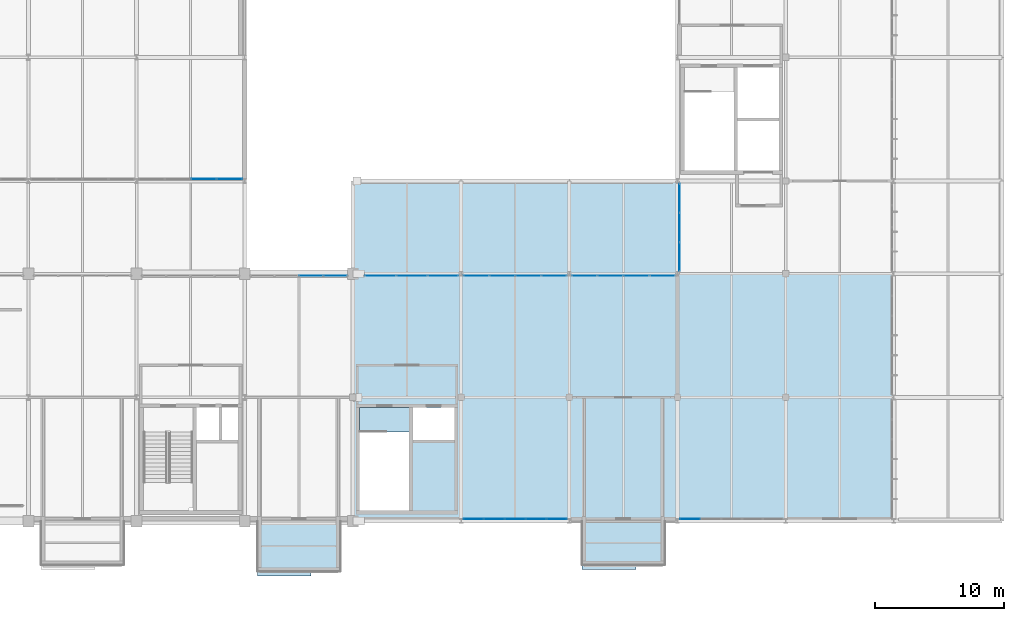
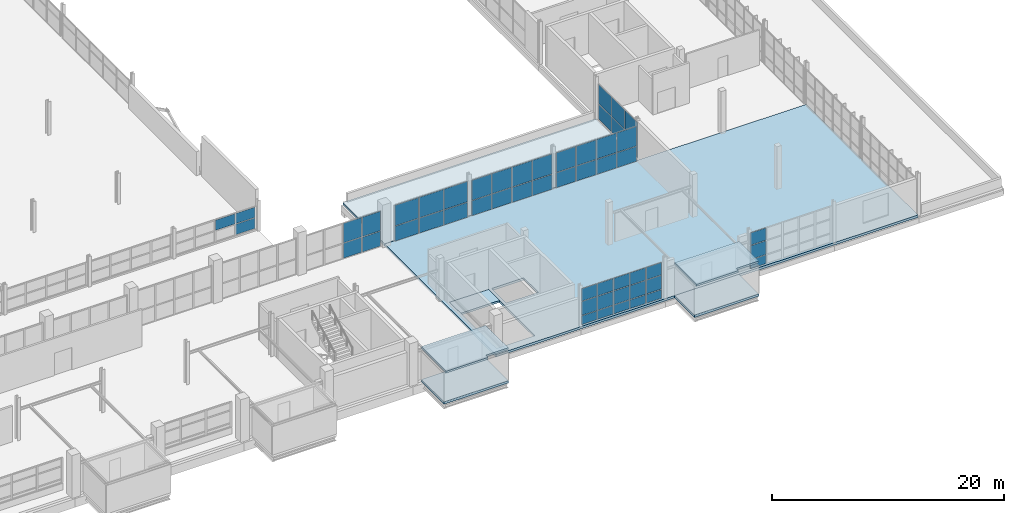
# One storey, part 87 of 103: 53 plates, 7 slabs, 8 elements without a shape of their own.
"""IFC4 building model written with IfcOpenShell, lengths in metres."""

from ifc_helpers import new_model, si_unit, direction, frame, origin, origin_2d, place, context, subcontext, project, spatial, polyline, rectangle, outline, extrude, material, layer, layer_set, type_object, element, aggregate, save


model = new_model("IFC4")

# Units and contexts
model_context = context("Model", 3, precision=1e-05, world=origin(), true_north=direction((0.0, 1.0)))
body_context = subcontext(model_context, "Body", "Model", "MODEL_VIEW")
ifc_project = project(units=[si_unit("LENGTHUNIT", "METRE"), si_unit("AREAUNIT", "SQUARE_METRE"), si_unit("VOLUMEUNIT", "CUBIC_METRE"), si_unit("PLANEANGLEUNIT", "RADIAN"), si_unit("MASSUNIT", "GRAM", prefix="KILO")], contexts=[model_context])

# Site, building, storey
site_placement = place(None, origin())
site = spatial("IfcSite", under=ifc_project, at=site_placement, CompositionType="ELEMENT")
building_placement = place(site_placement, origin())
building = spatial("IfcBuilding", under=site, at=building_placement, Name="Veltarok Museum of Natural Sciences", CompositionType="ELEMENT")
storey_placement = place(building_placement, frame((0.0, 0.0, 21.89990234375)))
storey = spatial("IfcBuildingStorey", under=building, at=storey_placement, Name="L04", CompositionType="ELEMENT", Elevation=21.89990234375)

# Slabs
ifc_material_1 = material(Name="Concrete C35/45", Category="concrete")
ifc_layer_1 = layer(ifc_material_1, 0.199951171875)
ifc_layer_set_1 = layer_set([ifc_layer_1], Name="Concrete C35/45")
slab_type_1 = type_object("IfcSlabType", Name="Cantilevered Cabinet Box Roof Slab 200", PredefinedType="ROOF", material=ifc_layer_set_1)
slab_1_placement = place(storey_placement, frame((0.0, 0.0, 3.25)))
element("IfcSlab", 1, at=slab_1_placement, inside=storey, type_object=slab_type_1, Name="Cabinet Box Roof Slab DB-23", PredefinedType="ROOF", context=body_context, shape_type="SweptSolid", body=[
    extrude(outline(polyline([(99.800048828125, -4.280029296875), (103.9599609375, -4.280029296875), (103.9599609375, -3.89990234375), (106.199951171875, -3.89990234375), (106.199951171875, 0.0), (99.800048828125, 0.0), (99.800048828125, -4.280029296875)])), origin(), (0.0, 0.0, 1.0), 0.2001953125),
])
slab_2_placement = place(storey_placement, frame((0.0, 0.0, 3.25)))
element("IfcSlab", 2, at=slab_2_placement, inside=storey, type_object=slab_type_1, Name="Cabinet Box Roof Slab DB-24", PredefinedType="ROOF", context=body_context, shape_type="SweptSolid", body=[
    extrude(outline(polyline([(125.0, -3.780029296875), (129.159912109375, -3.780029296875), (129.159912109375, -3.39990234375), (131.39990234375, -3.39990234375), (131.39990234375, 0.0), (125.0, 0.0), (125.0, -3.780029296875)])), origin(), (0.0, 0.0, 1.0), 0.2001953125),
])
ifc_layer_2 = layer(ifc_material_1, 0.239990234375)
ifc_layer_set_2 = layer_set([ifc_layer_2], Name="Concrete C35/45")
slab_type_2 = type_object("IfcSlabType", Name="Insulated Flat Wing Roof Slab 240", PredefinedType="ROOF", material=ifc_layer_set_2)
slab_3_placement = place(storey_placement, frame((0.0, 0.0, -0.239990234375)))
element("IfcSlab", 3, at=slab_3_placement, inside=storey, type_object=slab_type_2, Name="Flat Wing Roof Slab RF-V5C", PredefinedType="ROOF", context=body_context, shape_type="SweptSolid", body=[
    extrude(outline(polyline([(107.22509765625, 19.219970703125), (107.22509765625, 26.39990234375), (132.3798828125, 26.39990234375), (132.3798828125, 19.219970703125), (107.22509765625, 19.219970703125)])), origin(), (0.0, 0.0, 1.0), 0.239990234375),
])
ifc_layer_3 = layer(ifc_material_1, 0.199951171875)
ifc_layer_set_3 = layer_set([ifc_layer_3], Name="Concrete C35/45")
slab_type_3 = type_object("IfcSlabType", Name="Protected Stair Intermediate Landing Slab 200", PredefinedType="LANDING", material=ifc_layer_set_3)
slab_4_placement = place(storey_placement, frame((0.0, 0.0, -0.199951171875)))
element("IfcSlab", 4, at=slab_4_placement, inside=storey, type_object=slab_type_3, Name="Top Stairwell Landing ST-04 L04", PredefinedType="LANDING", context=body_context, shape_type="SweptSolid", body=[
    extrude(outline(polyline([(107.7099609375, 6.89990234375), (111.590087890625, 6.89990234375), (111.590087890625, 8.820068359375), (107.7099609375, 8.820068359375), (107.7099609375, 6.89990234375)])), origin(), (0.0, 0.0, 1.0), 0.199951171875),
])
ifc_layer_4 = layer(ifc_material_1, 0.25)
ifc_layer_set_4 = layer_set([ifc_layer_4], Name="Concrete C35/45")
slab_type_4 = type_object("IfcSlabType", Name="Suspended Museum Floor Slab 250", PredefinedType="FLOOR", material=ifc_layer_set_4)
slab_5_placement = place(storey_placement, frame((0.0, 0.0, -0.25)))
element("IfcSlab", 5, at=slab_5_placement, inside=storey, type_object=slab_type_4, Name="Floor Slab L04 V5S", PredefinedType="FLOOR", context=body_context, shape_type="SweptSolid", body=[
    extrude(outline(polyline([(107.22509765625, 0.0), (107.22509765625, 19.199951171875), (149.199951171875, 19.199951171875), (149.199951171875, 0.0), (107.22509765625, 0.0)]), holes=[polyline([(107.72998046875, 8.800048828125), (107.72998046875, 0.800048828125), (111.570068359375, 0.800048828125), (111.570068359375, 8.800048828125), (107.72998046875, 8.800048828125)]), polyline([(115.070068359375, 8.800048828125), (111.8701171875, 8.800048828125), (111.8701171875, 6.300048828125), (115.070068359375, 6.300048828125), (115.070068359375, 8.800048828125)])]), origin(), (0.0, 0.0, 1.0), 0.25),
])
slab_6_placement = place(storey_placement, frame((0.0, 0.0, -0.25)))
element("IfcSlab", 6, at=slab_6_placement, inside=storey, type_object=slab_type_4, Name="Cabinet Box Floor Slab DB-23", PredefinedType="FLOOR", context=body_context, shape_type="SweptSolid", body=[
    extrude(outline(polyline([(99.800048828125, -3.89990234375), (106.199951171875, -3.89990234375), (106.199951171875, 0.0), (99.800048828125, 0.0), (99.800048828125, -3.89990234375)])), origin(), (0.0, 0.0, 1.0), 0.25),
])
slab_7_placement = place(storey_placement, frame((0.0, 0.0, -0.25)))
element("IfcSlab", 7, at=slab_7_placement, inside=storey, type_object=slab_type_4, Name="Cabinet Box Floor Slab DB-24", PredefinedType="FLOOR", context=body_context, shape_type="SweptSolid", body=[
    extrude(outline(polyline([(125.0, -3.39990234375), (131.39990234375, -3.39990234375), (131.39990234375, 0.0), (125.0, 0.0), (125.0, -3.39990234375)])), origin(), (0.0, 0.0, 1.0), 0.25),
])

# Curtain wall, plates
ifc_material_2 = material(Name="Low-iron triple insulated glass", Category="glass")
curtain_wall_type_1 = type_object("IfcCurtainWallType", Name="Curtain Wall System CW-V5S-L04-14-810x388 (V5 South Lab Curtain Wall L04 14-15 810x388cm)", PredefinedType="NOTDEFINED", material=ifc_material_2)
curtain_wall_1_placement = place(storey_placement, origin())
curtain_wall_1 = element("IfcCurtainWall", 8, at=curtain_wall_1_placement, inside=storey, type_object=curtain_wall_type_1, Name="Curtain Wall CW-V5S-L04-14-810x388 CW-0096", PredefinedType="NOTDEFINED")
ifc_layer_5 = layer(ifc_material_2, 0.028076171875)
ifc_layer_set_5 = layer_set([ifc_layer_5], Name="Low-iron triple insulated glass")
plate_type = type_object("IfcPlateType", Name="Triple Low-Iron Glazed Vision Panel 28", PredefinedType="CURTAIN_PANEL", material=ifc_layer_set_5)
plate_1_placement = place(storey_placement, frame((116.574951171875, 0.159912109375, 0.06005859375), z_axis=(0.0, 0.0, 1.0), x_axis=(1.0, 0.0, 0.0)))
plate_1 = element("IfcPlate", 9, at=plate_1_placement, type_object=plate_type, Name="CW-V5S-L04-14-810x388 panel 1.1", PredefinedType="CURTAIN_PANEL", context=body_context, shape_type="SweptSolid", body=[
    extrude(rectangle(XDim=1.530029296875, YDim=0.028076171875, at=origin_2d()), origin(), (0.0, 0.0, 1.0), 0.909912109375),
])
plate_2_placement = place(storey_placement, frame((116.574951171875, 0.159912109375, 1.030029296875), z_axis=(0.0, 0.0, 1.0), x_axis=(1.0, 0.0, 0.0)))
plate_2 = element("IfcPlate", 10, at=plate_2_placement, type_object=plate_type, Name="CW-V5S-L04-14-810x388 panel 1.2", PredefinedType="CURTAIN_PANEL", context=body_context, shape_type="SweptSolid", body=[
    extrude(rectangle(XDim=1.530029296875, YDim=0.028076171875, at=origin_2d()), origin(), (0.0, 0.0, 1.0), 1.43994140625),
])
plate_3_placement = place(storey_placement, frame((116.574951171875, 0.159912109375, 2.530029296875), z_axis=(0.0, 0.0, 1.0), x_axis=(1.0, 0.0, 0.0)))
plate_3 = element("IfcPlate", 11, at=plate_3_placement, type_object=plate_type, Name="CW-V5S-L04-14-810x388 panel 1.3", PredefinedType="CURTAIN_PANEL", context=body_context, shape_type="SweptSolid", body=[
    extrude(rectangle(XDim=1.530029296875, YDim=0.028076171875, at=origin_2d()), origin(), (0.0, 0.0, 1.0), 1.2900390625),
])
plate_4_placement = place(storey_placement, frame((118.179931640625, 0.159912109375, 0.06005859375), z_axis=(0.0, 0.0, 1.0), x_axis=(1.0, 0.0, 0.0)))
plate_4 = element("IfcPlate", 12, at=plate_4_placement, type_object=plate_type, Name="CW-V5S-L04-14-810x388 panel 2.1", PredefinedType="CURTAIN_PANEL", context=body_context, shape_type="SweptSolid", body=[
    extrude(rectangle(XDim=1.56005859375, YDim=0.028076171875, at=origin_2d()), origin(), (0.0, 0.0, 1.0), 0.909912109375),
])
plate_5_placement = place(storey_placement, frame((118.179931640625, 0.159912109375, 1.030029296875), z_axis=(0.0, 0.0, 1.0), x_axis=(1.0, 0.0, 0.0)))
plate_5 = element("IfcPlate", 13, at=plate_5_placement, type_object=plate_type, Name="CW-V5S-L04-14-810x388 panel 2.2", PredefinedType="CURTAIN_PANEL", context=body_context, shape_type="SweptSolid", body=[
    extrude(rectangle(XDim=1.56005859375, YDim=0.028076171875, at=origin_2d()), origin(), (0.0, 0.0, 1.0), 1.43994140625),
])
plate_6_placement = place(storey_placement, frame((118.179931640625, 0.159912109375, 2.530029296875), z_axis=(0.0, 0.0, 1.0), x_axis=(1.0, 0.0, 0.0)))
plate_6 = element("IfcPlate", 14, at=plate_6_placement, type_object=plate_type, Name="CW-V5S-L04-14-810x388 panel 2.3", PredefinedType="CURTAIN_PANEL", context=body_context, shape_type="SweptSolid", body=[
    extrude(rectangle(XDim=1.56005859375, YDim=0.028076171875, at=origin_2d()), origin(), (0.0, 0.0, 1.0), 1.2900390625),
])
plate_7_placement = place(storey_placement, frame((119.800048828125, 0.159912109375, 0.06005859375), z_axis=(0.0, 0.0, 1.0), x_axis=(1.0, 0.0, 0.0)))
plate_7 = element("IfcPlate", 15, at=plate_7_placement, type_object=plate_type, Name="CW-V5S-L04-14-810x388 panel 3.1", PredefinedType="CURTAIN_PANEL", context=body_context, shape_type="SweptSolid", body=[
    extrude(rectangle(XDim=1.56005859375, YDim=0.028076171875, at=origin_2d()), origin(), (0.0, 0.0, 1.0), 0.909912109375),
])
plate_8_placement = place(storey_placement, frame((119.800048828125, 0.159912109375, 1.030029296875), z_axis=(0.0, 0.0, 1.0), x_axis=(1.0, 0.0, 0.0)))
plate_8 = element("IfcPlate", 16, at=plate_8_placement, type_object=plate_type, Name="CW-V5S-L04-14-810x388 panel 3.2", PredefinedType="CURTAIN_PANEL", context=body_context, shape_type="SweptSolid", body=[
    extrude(rectangle(XDim=1.56005859375, YDim=0.028076171875, at=origin_2d()), origin(), (0.0, 0.0, 1.0), 1.43994140625),
])
plate_9_placement = place(storey_placement, frame((119.800048828125, 0.159912109375, 2.530029296875), z_axis=(0.0, 0.0, 1.0), x_axis=(1.0, 0.0, 0.0)))
plate_9 = element("IfcPlate", 17, at=plate_9_placement, type_object=plate_type, Name="CW-V5S-L04-14-810x388 panel 3.3", PredefinedType="CURTAIN_PANEL", context=body_context, shape_type="SweptSolid", body=[
    extrude(rectangle(XDim=1.56005859375, YDim=0.028076171875, at=origin_2d()), origin(), (0.0, 0.0, 1.0), 1.2900390625),
])
plate_10_placement = place(storey_placement, frame((121.419921875, 0.159912109375, 0.06005859375), z_axis=(0.0, 0.0, 1.0), x_axis=(1.0, 0.0, 0.0)))
plate_10 = element("IfcPlate", 18, at=plate_10_placement, type_object=plate_type, Name="CW-V5S-L04-14-810x388 panel 4.1", PredefinedType="CURTAIN_PANEL", context=body_context, shape_type="SweptSolid", body=[
    extrude(rectangle(XDim=1.56005859375, YDim=0.028076171875, at=origin_2d()), origin(), (0.0, 0.0, 1.0), 0.909912109375),
])
plate_11_placement = place(storey_placement, frame((121.419921875, 0.159912109375, 1.030029296875), z_axis=(0.0, 0.0, 1.0), x_axis=(1.0, 0.0, 0.0)))
plate_11 = element("IfcPlate", 19, at=plate_11_placement, type_object=plate_type, Name="CW-V5S-L04-14-810x388 panel 4.2", PredefinedType="CURTAIN_PANEL", context=body_context, shape_type="SweptSolid", body=[
    extrude(rectangle(XDim=1.56005859375, YDim=0.028076171875, at=origin_2d()), origin(), (0.0, 0.0, 1.0), 1.43994140625),
])
plate_12_placement = place(storey_placement, frame((121.419921875, 0.159912109375, 2.530029296875), z_axis=(0.0, 0.0, 1.0), x_axis=(1.0, 0.0, 0.0)))
plate_12 = element("IfcPlate", 20, at=plate_12_placement, type_object=plate_type, Name="CW-V5S-L04-14-810x388 panel 4.3", PredefinedType="CURTAIN_PANEL", context=body_context, shape_type="SweptSolid", body=[
    extrude(rectangle(XDim=1.56005859375, YDim=0.028076171875, at=origin_2d()), origin(), (0.0, 0.0, 1.0), 1.2900390625),
])
plate_13_placement = place(storey_placement, frame((123.02490234375, 0.159912109375, 0.06005859375), z_axis=(0.0, 0.0, 1.0), x_axis=(1.0, 0.0, 0.0)))
plate_13 = element("IfcPlate", 21, at=plate_13_placement, type_object=plate_type, Name="CW-V5S-L04-14-810x388 panel 5.1", PredefinedType="CURTAIN_PANEL", context=body_context, shape_type="SweptSolid", body=[
    extrude(rectangle(XDim=1.530029296875, YDim=0.028076171875, at=origin_2d()), origin(), (0.0, 0.0, 1.0), 0.909912109375),
])
plate_14_placement = place(storey_placement, frame((123.02490234375, 0.159912109375, 1.030029296875), z_axis=(0.0, 0.0, 1.0), x_axis=(1.0, 0.0, 0.0)))
plate_14 = element("IfcPlate", 22, at=plate_14_placement, type_object=plate_type, Name="CW-V5S-L04-14-810x388 panel 5.2", PredefinedType="CURTAIN_PANEL", context=body_context, shape_type="SweptSolid", body=[
    extrude(rectangle(XDim=1.530029296875, YDim=0.028076171875, at=origin_2d()), origin(), (0.0, 0.0, 1.0), 1.43994140625),
])
plate_15_placement = place(storey_placement, frame((123.02490234375, 0.159912109375, 2.530029296875), z_axis=(0.0, 0.0, 1.0), x_axis=(1.0, 0.0, 0.0)))
plate_15 = element("IfcPlate", 23, at=plate_15_placement, type_object=plate_type, Name="CW-V5S-L04-14-810x388 panel 5.3", PredefinedType="CURTAIN_PANEL", context=body_context, shape_type="SweptSolid", body=[
    extrude(rectangle(XDim=1.530029296875, YDim=0.028076171875, at=origin_2d()), origin(), (0.0, 0.0, 1.0), 1.2900390625),
])
aggregate(curtain_wall_1, [plate_1, plate_2, plate_3, plate_4, plate_5, plate_6, plate_7, plate_8, plate_9, plate_10, plate_11, plate_12, plate_13, plate_14, plate_15])

curtain_wall_type_2 = type_object("IfcCurtainWallType", Name="Curtain Wall System CW-V5S-L04-16-810x388 (V5 South Lab Curtain Wall L04 16-17 810x388cm)", PredefinedType="NOTDEFINED", material=ifc_material_2)
curtain_wall_2_placement = place(storey_placement, origin())
curtain_wall_2 = element("IfcCurtainWall", 24, at=curtain_wall_2_placement, inside=storey, type_object=curtain_wall_type_2, Name="Curtain Wall CW-V5S-L04-16-810x388 CW-0097", PredefinedType="NOTDEFINED")
plate_16_placement = place(storey_placement, frame((133.375, 0.159912109375, 0.06005859375), z_axis=(0.0, 0.0, 1.0), x_axis=(1.0, 0.0, 0.0)))
plate_16 = element("IfcPlate", 25, at=plate_16_placement, type_object=plate_type, Name="CW-V5S-L04-16-810x388 panel 1.1", PredefinedType="CURTAIN_PANEL", context=body_context, shape_type="SweptSolid", body=[
    extrude(rectangle(XDim=1.530029296875, YDim=0.028076171875, at=origin_2d()), origin(), (0.0, 0.0, 1.0), 0.909912109375),
])
plate_17_placement = place(storey_placement, frame((133.375, 0.159912109375, 1.030029296875), z_axis=(0.0, 0.0, 1.0), x_axis=(1.0, 0.0, 0.0)))
plate_17 = element("IfcPlate", 26, at=plate_17_placement, type_object=plate_type, Name="CW-V5S-L04-16-810x388 panel 1.2", PredefinedType="CURTAIN_PANEL", context=body_context, shape_type="SweptSolid", body=[
    extrude(rectangle(XDim=1.530029296875, YDim=0.028076171875, at=origin_2d()), origin(), (0.0, 0.0, 1.0), 1.43994140625),
])
plate_18_placement = place(storey_placement, frame((133.375, 0.159912109375, 2.530029296875), z_axis=(0.0, 0.0, 1.0), x_axis=(1.0, 0.0, 0.0)))
plate_18 = element("IfcPlate", 27, at=plate_18_placement, type_object=plate_type, Name="CW-V5S-L04-16-810x388 panel 1.3", PredefinedType="CURTAIN_PANEL", context=body_context, shape_type="SweptSolid", body=[
    extrude(rectangle(XDim=1.530029296875, YDim=0.028076171875, at=origin_2d()), origin(), (0.0, 0.0, 1.0), 1.2900390625),
])
aggregate(curtain_wall_2, [plate_16, plate_17, plate_18])

curtain_wall_type_3 = type_object("IfcCurtainWallType", Name="Curtain Wall System CW-V1CN4-L04-2-755x378 (CW-V1CN4 L04 755x378cm)", PredefinedType="NOTDEFINED", material=ifc_material_2)
curtain_wall_3_placement = place(storey_placement, origin())
curtain_wall_3 = element("IfcCurtainWall", 28, at=curtain_wall_3_placement, inside=storey, type_object=curtain_wall_type_3, Name="Curtain Wall CW-V1CN4-L04-2-755x378 CW-0170", PredefinedType="NOTDEFINED")
plate_19_placement = place(storey_placement, frame((105.816162109375, 19.050048828125, 0.05810546875), z_axis=(0.0, 0.0, 1.0), x_axis=(-1.0, 0.0, 0.0)))
plate_19 = element("IfcPlate", 29, at=plate_19_placement, type_object=plate_type, Name="CW-V1CN4-L04-2-755x378 panel 1.1", PredefinedType="CURTAIN_PANEL", context=body_context, shape_type="SweptSolid", body=[
    extrude(rectangle(XDim=1.797607421875, YDim=0.028076171875, at=origin_2d()), origin(), (0.0, 0.0, 1.0), 1.56005859375),
])
plate_20_placement = place(storey_placement, frame((105.816162109375, 19.050048828125, 1.67822265625), z_axis=(0.0, 0.0, 1.0), x_axis=(-1.0, 0.0, 0.0)))
plate_20 = element("IfcPlate", 30, at=plate_20_placement, type_object=plate_type, Name="CW-V1CN4-L04-2-755x378 panel 1.2", PredefinedType="CURTAIN_PANEL", context=body_context, shape_type="SweptSolid", body=[
    extrude(rectangle(XDim=1.797607421875, YDim=0.028076171875, at=origin_2d()), origin(), (0.0, 0.0, 1.0), 2.0419921875),
])
plate_21_placement = place(storey_placement, frame((103.94384765625, 19.050048828125, 0.05810546875), z_axis=(0.0, 0.0, 1.0), x_axis=(-1.0, 0.0, 0.0)))
plate_21 = element("IfcPlate", 31, at=plate_21_placement, type_object=plate_type, Name="CW-V1CN4-L04-2-755x378 panel 2.1", PredefinedType="CURTAIN_PANEL", context=body_context, shape_type="SweptSolid", body=[
    extrude(rectangle(XDim=1.827392578125, YDim=0.028076171875, at=origin_2d()), origin(), (0.0, 0.0, 1.0), 1.56005859375),
])
plate_22_placement = place(storey_placement, frame((103.94384765625, 19.050048828125, 1.67822265625), z_axis=(0.0, 0.0, 1.0), x_axis=(-1.0, 0.0, 0.0)))
plate_22 = element("IfcPlate", 32, at=plate_22_placement, type_object=plate_type, Name="CW-V1CN4-L04-2-755x378 panel 2.2", PredefinedType="CURTAIN_PANEL", context=body_context, shape_type="SweptSolid", body=[
    extrude(rectangle(XDim=1.827392578125, YDim=0.028076171875, at=origin_2d()), origin(), (0.0, 0.0, 1.0), 2.0419921875),
])
aggregate(curtain_wall_3, [plate_19, plate_20, plate_21, plate_22])

curtain_wall_type_4 = type_object("IfcCurtainWallType", Name="Curtain Wall System CW-V5CW-L04-2-686x378 (CW-V5CW L04 686x378cm)", PredefinedType="NOTDEFINED", material=ifc_material_2)
curtain_wall_4_placement = place(storey_placement, origin())
curtain_wall_4 = element("IfcCurtainWall", 33, at=curtain_wall_4_placement, inside=storey, type_object=curtain_wall_type_4, Name="Curtain Wall CW-V5CW-L04-2-686x378 CW-0182", PredefinedType="NOTDEFINED")
plate_23_placement = place(storey_placement, frame((132.550048828125, 20.5283203125, 0.05810546875), z_axis=(0.0, 0.0, 1.0), x_axis=(0.0, 1.0, 0.0)))
plate_23 = element("IfcPlate", 34, at=plate_23_placement, type_object=plate_type, Name="CW-V5CW-L04-2-686x378 panel 1.1", PredefinedType="CURTAIN_PANEL", context=body_context, shape_type="SweptSolid", body=[
    extrude(rectangle(XDim=2.19677734375, YDim=0.028076171875, at=origin_2d()), origin(), (0.0, 0.0, 1.0), 1.56005859375),
])
plate_24_placement = place(storey_placement, frame((132.550048828125, 20.5283203125, 1.67822265625), z_axis=(0.0, 0.0, 1.0), x_axis=(0.0, 1.0, 0.0)))
plate_24 = element("IfcPlate", 35, at=plate_24_placement, type_object=plate_type, Name="CW-V5CW-L04-2-686x378 panel 1.2", PredefinedType="CURTAIN_PANEL", context=body_context, shape_type="SweptSolid", body=[
    extrude(rectangle(XDim=2.19677734375, YDim=0.028076171875, at=origin_2d()), origin(), (0.0, 0.0, 1.0), 2.0419921875),
])
plate_25_placement = place(storey_placement, frame((132.550048828125, 22.800048828125, 0.05810546875), z_axis=(0.0, 0.0, 1.0), x_axis=(0.0, 1.0, 0.0)))
plate_25 = element("IfcPlate", 36, at=plate_25_placement, type_object=plate_type, Name="CW-V5CW-L04-2-686x378 panel 2.1", PredefinedType="CURTAIN_PANEL", context=body_context, shape_type="SweptSolid", body=[
    extrude(rectangle(XDim=2.2265625, YDim=0.028076171875, at=origin_2d()), origin(), (0.0, 0.0, 1.0), 1.56005859375),
])
plate_26_placement = place(storey_placement, frame((132.550048828125, 22.800048828125, 1.67822265625), z_axis=(0.0, 0.0, 1.0), x_axis=(0.0, 1.0, 0.0)))
plate_26 = element("IfcPlate", 37, at=plate_26_placement, type_object=plate_type, Name="CW-V5CW-L04-2-686x378 panel 2.2", PredefinedType="CURTAIN_PANEL", context=body_context, shape_type="SweptSolid", body=[
    extrude(rectangle(XDim=2.2265625, YDim=0.028076171875, at=origin_2d()), origin(), (0.0, 0.0, 1.0), 2.0419921875),
])
plate_27_placement = place(storey_placement, frame((132.550048828125, 25.07177734375, 0.05810546875), z_axis=(0.0, 0.0, 1.0), x_axis=(0.0, 1.0, 0.0)))
plate_27 = element("IfcPlate", 38, at=plate_27_placement, type_object=plate_type, Name="CW-V5CW-L04-2-686x378 panel 3.1", PredefinedType="CURTAIN_PANEL", context=body_context, shape_type="SweptSolid", body=[
    extrude(rectangle(XDim=2.19677734375, YDim=0.028076171875, at=origin_2d()), origin(), (0.0, 0.0, 1.0), 1.56005859375),
])
plate_28_placement = place(storey_placement, frame((132.550048828125, 25.07177734375, 1.67822265625), z_axis=(0.0, 0.0, 1.0), x_axis=(0.0, 1.0, 0.0)))
plate_28 = element("IfcPlate", 39, at=plate_28_placement, type_object=plate_type, Name="CW-V5CW-L04-2-686x378 panel 3.2", PredefinedType="CURTAIN_PANEL", context=body_context, shape_type="SweptSolid", body=[
    extrude(rectangle(XDim=2.19677734375, YDim=0.028076171875, at=origin_2d()), origin(), (0.0, 0.0, 1.0), 2.0419921875),
])
aggregate(curtain_wall_4, [plate_23, plate_24, plate_25, plate_26, plate_27, plate_28])

curtain_wall_type_5 = type_object("IfcCurtainWallType", Name="Curtain Wall System CW-V5CN4-L04-0-734x388 (CW-V5CN4 L04 734x388cm)", PredefinedType="NOTDEFINED", material=ifc_material_2)
curtain_wall_5_placement = place(storey_placement, origin())
curtain_wall_5 = element("IfcCurtainWall", 40, at=curtain_wall_5_placement, inside=storey, type_object=curtain_wall_type_5, Name="Curtain Wall CW-V5CN4-L04-0-734x388 CW-0196", PredefinedType="NOTDEFINED")
plate_29_placement = place(storey_placement, frame((114.2109375, 19.050048828125, 0.05810546875), z_axis=(0.0, 0.0, 1.0), x_axis=(-1.0, 0.0, 0.0)))
plate_29 = element("IfcPlate", 41, at=plate_29_placement, type_object=plate_type, Name="CW-V5CN4-L04-0-734x388 panel 1.1", PredefinedType="CURTAIN_PANEL", context=body_context, shape_type="SweptSolid", body=[
    extrude(rectangle(XDim=2.3583984375, YDim=0.028076171875, at=origin_2d()), origin(), (0.0, 0.0, 1.0), 1.56005859375),
])
plate_30_placement = place(storey_placement, frame((114.2109375, 19.050048828125, 1.677978515625), z_axis=(0.0, 0.0, 1.0), x_axis=(-1.0, 0.0, 0.0)))
plate_30 = element("IfcPlate", 42, at=plate_30_placement, type_object=plate_type, Name="CW-V5CN4-L04-0-734x388 panel 1.2", PredefinedType="CURTAIN_PANEL", context=body_context, shape_type="SweptSolid", body=[
    extrude(rectangle(XDim=2.3583984375, YDim=0.028076171875, at=origin_2d()), origin(), (0.0, 0.0, 1.0), 2.14208984375),
])
plate_31_placement = place(storey_placement, frame((111.777587890625, 19.050048828125, 0.05810546875), z_axis=(0.0, 0.0, 1.0), x_axis=(-1.0, 0.0, 0.0)))
plate_31 = element("IfcPlate", 43, at=plate_31_placement, type_object=plate_type, Name="CW-V5CN4-L04-0-734x388 panel 2.1", PredefinedType="CURTAIN_PANEL", context=body_context, shape_type="SweptSolid", body=[
    extrude(rectangle(XDim=2.388427734375, YDim=0.028076171875, at=origin_2d()), origin(), (0.0, 0.0, 1.0), 1.56005859375),
])
plate_32_placement = place(storey_placement, frame((111.777587890625, 19.050048828125, 1.677978515625), z_axis=(0.0, 0.0, 1.0), x_axis=(-1.0, 0.0, 0.0)))
plate_32 = element("IfcPlate", 44, at=plate_32_placement, type_object=plate_type, Name="CW-V5CN4-L04-0-734x388 panel 2.2", PredefinedType="CURTAIN_PANEL", context=body_context, shape_type="SweptSolid", body=[
    extrude(rectangle(XDim=2.388427734375, YDim=0.028076171875, at=origin_2d()), origin(), (0.0, 0.0, 1.0), 2.14208984375),
])
plate_33_placement = place(storey_placement, frame((109.34423828125, 19.050048828125, 0.05810546875), z_axis=(0.0, 0.0, 1.0), x_axis=(-1.0, 0.0, 0.0)))
plate_33 = element("IfcPlate", 45, at=plate_33_placement, type_object=plate_type, Name="CW-V5CN4-L04-0-734x388 panel 3.1", PredefinedType="CURTAIN_PANEL", context=body_context, shape_type="SweptSolid", body=[
    extrude(rectangle(XDim=2.3583984375, YDim=0.028076171875, at=origin_2d()), origin(), (0.0, 0.0, 1.0), 1.56005859375),
])
plate_34_placement = place(storey_placement, frame((109.34423828125, 19.050048828125, 1.677978515625), z_axis=(0.0, 0.0, 1.0), x_axis=(-1.0, 0.0, 0.0)))
plate_34 = element("IfcPlate", 46, at=plate_34_placement, type_object=plate_type, Name="CW-V5CN4-L04-0-734x388 panel 3.2", PredefinedType="CURTAIN_PANEL", context=body_context, shape_type="SweptSolid", body=[
    extrude(rectangle(XDim=2.3583984375, YDim=0.028076171875, at=origin_2d()), origin(), (0.0, 0.0, 1.0), 2.14208984375),
])
aggregate(curtain_wall_5, [plate_29, plate_30, plate_31, plate_32, plate_33, plate_34])

curtain_wall_type_6 = type_object("IfcCurtainWallType", Name="Curtain Wall System CW-V5CN4-L04-1-810x383 (CW-V5CN4 L04 810x383cm)", PredefinedType="NOTDEFINED", material=ifc_material_2)
curtain_wall_6_placement = place(storey_placement, origin())
curtain_wall_6 = element("IfcCurtainWall", 47, at=curtain_wall_6_placement, inside=storey, type_object=curtain_wall_type_6, Name="Curtain Wall CW-V5CN4-L04-1-810x383 CW-0197", PredefinedType="NOTDEFINED")
plate_35_placement = place(storey_placement, frame((122.822509765625, 19.050048828125, 0.05810546875), z_axis=(0.0, 0.0, 1.0), x_axis=(-1.0, 0.0, 0.0)))
plate_35 = element("IfcPlate", 48, at=plate_35_placement, type_object=plate_type, Name="CW-V5CN4-L04-1-810x383 panel 1.1", PredefinedType="CURTAIN_PANEL", context=body_context, shape_type="SweptSolid", body=[
    extrude(rectangle(XDim=1.93505859375, YDim=0.028076171875, at=origin_2d()), origin(), (0.0, 0.0, 1.0), 1.56005859375),
])
plate_36_placement = place(storey_placement, frame((122.822509765625, 19.050048828125, 1.67822265625), z_axis=(0.0, 0.0, 1.0), x_axis=(-1.0, 0.0, 0.0)))
plate_36 = element("IfcPlate", 49, at=plate_36_placement, type_object=plate_type, Name="CW-V5CN4-L04-1-810x383 panel 1.2", PredefinedType="CURTAIN_PANEL", context=body_context, shape_type="SweptSolid", body=[
    extrude(rectangle(XDim=1.93505859375, YDim=0.028076171875, at=origin_2d()), origin(), (0.0, 0.0, 1.0), 2.092041015625),
])
plate_37_placement = place(storey_placement, frame((120.8125, 19.050048828125, 0.05810546875), z_axis=(0.0, 0.0, 1.0), x_axis=(-1.0, 0.0, 0.0)))
plate_37 = element("IfcPlate", 50, at=plate_37_placement, type_object=plate_type, Name="CW-V5CN4-L04-1-810x383 panel 2.1", PredefinedType="CURTAIN_PANEL", context=body_context, shape_type="SweptSolid", body=[
    extrude(rectangle(XDim=1.965087890625, YDim=0.028076171875, at=origin_2d()), origin(), (0.0, 0.0, 1.0), 1.56005859375),
])
plate_38_placement = place(storey_placement, frame((120.8125, 19.050048828125, 1.67822265625), z_axis=(0.0, 0.0, 1.0), x_axis=(-1.0, 0.0, 0.0)))
plate_38 = element("IfcPlate", 51, at=plate_38_placement, type_object=plate_type, Name="CW-V5CN4-L04-1-810x383 panel 2.2", PredefinedType="CURTAIN_PANEL", context=body_context, shape_type="SweptSolid", body=[
    extrude(rectangle(XDim=1.965087890625, YDim=0.028076171875, at=origin_2d()), origin(), (0.0, 0.0, 1.0), 2.092041015625),
])
plate_39_placement = place(storey_placement, frame((118.78759765625, 19.050048828125, 0.05810546875), z_axis=(0.0, 0.0, 1.0), x_axis=(-1.0, 0.0, 0.0)))
plate_39 = element("IfcPlate", 52, at=plate_39_placement, type_object=plate_type, Name="CW-V5CN4-L04-1-810x383 panel 3.1", PredefinedType="CURTAIN_PANEL", context=body_context, shape_type="SweptSolid", body=[
    extrude(rectangle(XDim=1.965087890625, YDim=0.028076171875, at=origin_2d()), origin(), (0.0, 0.0, 1.0), 1.56005859375),
])
plate_40_placement = place(storey_placement, frame((118.78759765625, 19.050048828125, 1.67822265625), z_axis=(0.0, 0.0, 1.0), x_axis=(-1.0, 0.0, 0.0)))
plate_40 = element("IfcPlate", 53, at=plate_40_placement, type_object=plate_type, Name="CW-V5CN4-L04-1-810x383 panel 3.2", PredefinedType="CURTAIN_PANEL", context=body_context, shape_type="SweptSolid", body=[
    extrude(rectangle(XDim=1.965087890625, YDim=0.028076171875, at=origin_2d()), origin(), (0.0, 0.0, 1.0), 2.092041015625),
])
plate_41_placement = place(storey_placement, frame((116.777587890625, 19.050048828125, 0.05810546875), z_axis=(0.0, 0.0, 1.0), x_axis=(-1.0, 0.0, 0.0)))
plate_41 = element("IfcPlate", 54, at=plate_41_placement, type_object=plate_type, Name="CW-V5CN4-L04-1-810x383 panel 4.1", PredefinedType="CURTAIN_PANEL", context=body_context, shape_type="SweptSolid", body=[
    extrude(rectangle(XDim=1.93505859375, YDim=0.028076171875, at=origin_2d()), origin(), (0.0, 0.0, 1.0), 1.56005859375),
])
plate_42_placement = place(storey_placement, frame((116.777587890625, 19.050048828125, 1.67822265625), z_axis=(0.0, 0.0, 1.0), x_axis=(-1.0, 0.0, 0.0)))
plate_42 = element("IfcPlate", 55, at=plate_42_placement, type_object=plate_type, Name="CW-V5CN4-L04-1-810x383 panel 4.2", PredefinedType="CURTAIN_PANEL", context=body_context, shape_type="SweptSolid", body=[
    extrude(rectangle(XDim=1.93505859375, YDim=0.028076171875, at=origin_2d()), origin(), (0.0, 0.0, 1.0), 2.092041015625),
])
aggregate(curtain_wall_6, [plate_35, plate_36, plate_37, plate_38, plate_39, plate_40, plate_41, plate_42])

curtain_wall_type_7 = type_object("IfcCurtainWallType", Name="Curtain Wall System CW-V5CN4-L04-2-810x378 (CW-V5CN4 L04 810x378cm)", PredefinedType="NOTDEFINED", material=ifc_material_2)
curtain_wall_7_placement = place(storey_placement, origin())
curtain_wall_7 = element("IfcCurtainWall", 56, at=curtain_wall_7_placement, inside=storey, type_object=curtain_wall_type_7, Name="Curtain Wall CW-V5CN4-L04-2-810x378 CW-0198", PredefinedType="NOTDEFINED")
plate_43_placement = place(storey_placement, frame((131.222412109375, 19.050048828125, 0.05810546875), z_axis=(0.0, 0.0, 1.0), x_axis=(-1.0, 0.0, 0.0)))
plate_43 = element("IfcPlate", 57, at=plate_43_placement, type_object=plate_type, Name="CW-V5CN4-L04-2-810x378 panel 1.1", PredefinedType="CURTAIN_PANEL", context=body_context, shape_type="SweptSolid", body=[
    extrude(rectangle(XDim=1.93505859375, YDim=0.028076171875, at=origin_2d()), origin(), (0.0, 0.0, 1.0), 1.56005859375),
])
plate_44_placement = place(storey_placement, frame((131.222412109375, 19.050048828125, 1.67822265625), z_axis=(0.0, 0.0, 1.0), x_axis=(-1.0, 0.0, 0.0)))
plate_44 = element("IfcPlate", 58, at=plate_44_placement, type_object=plate_type, Name="CW-V5CN4-L04-2-810x378 panel 1.2", PredefinedType="CURTAIN_PANEL", context=body_context, shape_type="SweptSolid", body=[
    extrude(rectangle(XDim=1.93505859375, YDim=0.028076171875, at=origin_2d()), origin(), (0.0, 0.0, 1.0), 2.0419921875),
])
plate_45_placement = place(storey_placement, frame((129.21240234375, 19.050048828125, 0.05810546875), z_axis=(0.0, 0.0, 1.0), x_axis=(-1.0, 0.0, 0.0)))
plate_45 = element("IfcPlate", 59, at=plate_45_placement, type_object=plate_type, Name="CW-V5CN4-L04-2-810x378 panel 2.1", PredefinedType="CURTAIN_PANEL", context=body_context, shape_type="SweptSolid", body=[
    extrude(rectangle(XDim=1.965087890625, YDim=0.028076171875, at=origin_2d()), origin(), (0.0, 0.0, 1.0), 1.56005859375),
])
plate_46_placement = place(storey_placement, frame((129.21240234375, 19.050048828125, 1.67822265625), z_axis=(0.0, 0.0, 1.0), x_axis=(-1.0, 0.0, 0.0)))
plate_46 = element("IfcPlate", 60, at=plate_46_placement, type_object=plate_type, Name="CW-V5CN4-L04-2-810x378 panel 2.2", PredefinedType="CURTAIN_PANEL", context=body_context, shape_type="SweptSolid", body=[
    extrude(rectangle(XDim=1.965087890625, YDim=0.028076171875, at=origin_2d()), origin(), (0.0, 0.0, 1.0), 2.0419921875),
])
plate_47_placement = place(storey_placement, frame((127.1875, 19.050048828125, 0.05810546875), z_axis=(0.0, 0.0, 1.0), x_axis=(-1.0, 0.0, 0.0)))
plate_47 = element("IfcPlate", 61, at=plate_47_placement, type_object=plate_type, Name="CW-V5CN4-L04-2-810x378 panel 3.1", PredefinedType="CURTAIN_PANEL", context=body_context, shape_type="SweptSolid", body=[
    extrude(rectangle(XDim=1.965087890625, YDim=0.028076171875, at=origin_2d()), origin(), (0.0, 0.0, 1.0), 1.56005859375),
])
plate_48_placement = place(storey_placement, frame((127.1875, 19.050048828125, 1.67822265625), z_axis=(0.0, 0.0, 1.0), x_axis=(-1.0, 0.0, 0.0)))
plate_48 = element("IfcPlate", 62, at=plate_48_placement, type_object=plate_type, Name="CW-V5CN4-L04-2-810x378 panel 3.2", PredefinedType="CURTAIN_PANEL", context=body_context, shape_type="SweptSolid", body=[
    extrude(rectangle(XDim=1.965087890625, YDim=0.028076171875, at=origin_2d()), origin(), (0.0, 0.0, 1.0), 2.0419921875),
])
plate_49_placement = place(storey_placement, frame((125.177490234375, 19.050048828125, 0.05810546875), z_axis=(0.0, 0.0, 1.0), x_axis=(-1.0, 0.0, 0.0)))
plate_49 = element("IfcPlate", 63, at=plate_49_placement, type_object=plate_type, Name="CW-V5CN4-L04-2-810x378 panel 4.1", PredefinedType="CURTAIN_PANEL", context=body_context, shape_type="SweptSolid", body=[
    extrude(rectangle(XDim=1.93505859375, YDim=0.028076171875, at=origin_2d()), origin(), (0.0, 0.0, 1.0), 1.56005859375),
])
plate_50_placement = place(storey_placement, frame((125.177490234375, 19.050048828125, 1.67822265625), z_axis=(0.0, 0.0, 1.0), x_axis=(-1.0, 0.0, 0.0)))
plate_50 = element("IfcPlate", 64, at=plate_50_placement, type_object=plate_type, Name="CW-V5CN4-L04-2-810x378 panel 4.2", PredefinedType="CURTAIN_PANEL", context=body_context, shape_type="SweptSolid", body=[
    extrude(rectangle(XDim=1.93505859375, YDim=0.028076171875, at=origin_2d()), origin(), (0.0, 0.0, 1.0), 2.0419921875),
])
aggregate(curtain_wall_7, [plate_43, plate_44, plate_45, plate_46, plate_47, plate_48, plate_49, plate_50])

curtain_wall_type_8 = type_object("IfcCurtainWallType", Name="Curtain Wall System CW-V2S-L04-810x236 (V2 South Setback L04 810x236cm)", PredefinedType="NOTDEFINED", material=ifc_material_2)
curtain_wall_8_placement = place(storey_placement, origin())
curtain_wall_8 = element("IfcCurtainWall", 65, at=curtain_wall_8_placement, inside=storey, type_object=curtain_wall_type_8, Name="Curtain Wall CW-V2S-L04-810x236 CW-0229", PredefinedType="NOTDEFINED")
plate_51_placement = place(storey_placement, frame((95.612548828125, 26.550048828125, 1.380126953125), z_axis=(0.0, 0.0, 1.0), x_axis=(1.0, 0.0, 0.0)))
plate_51 = element("IfcPlate", 66, at=plate_51_placement, type_object=plate_type, Name="CW-V2S-L04-810x236 panel 3.2", PredefinedType="CURTAIN_PANEL", context=body_context, shape_type="SweptSolid", body=[
    extrude(rectangle(XDim=1.965087890625, YDim=0.028076171875, at=origin_2d()), origin(), (0.0, 0.0, 1.0), 1.080078125),
])
plate_52_placement = place(storey_placement, frame((97.62255859375, 26.550048828125, 0.219970703125), z_axis=(0.0, 0.0, 1.0), x_axis=(1.0, 0.0, 0.0)))
plate_52 = element("IfcPlate", 67, at=plate_52_placement, type_object=plate_type, Name="CW-V2S-L04-810x236 panel 4.1", PredefinedType="CURTAIN_PANEL", context=body_context, shape_type="SweptSolid", body=[
    extrude(rectangle(XDim=1.93505859375, YDim=0.028076171875, at=origin_2d()), origin(), (0.0, 0.0, 1.0), 1.10009765625),
])
plate_53_placement = place(storey_placement, frame((97.62255859375, 26.550048828125, 1.380126953125), z_axis=(0.0, 0.0, 1.0), x_axis=(1.0, 0.0, 0.0)))
plate_53 = element("IfcPlate", 68, at=plate_53_placement, type_object=plate_type, Name="CW-V2S-L04-810x236 panel 4.2", PredefinedType="CURTAIN_PANEL", context=body_context, shape_type="SweptSolid", body=[
    extrude(rectangle(XDim=1.93505859375, YDim=0.028076171875, at=origin_2d()), origin(), (0.0, 0.0, 1.0), 1.080078125),
])
aggregate(curtain_wall_8, [plate_51, plate_52, plate_53])

save(model, "model.ifc")
